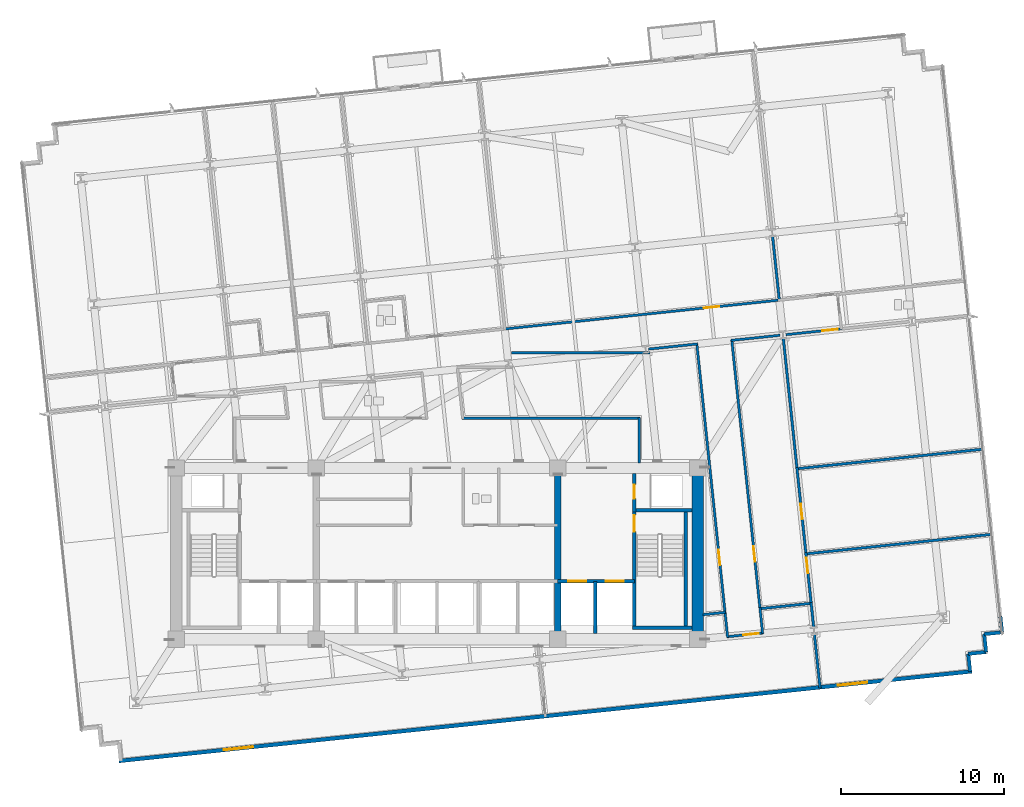
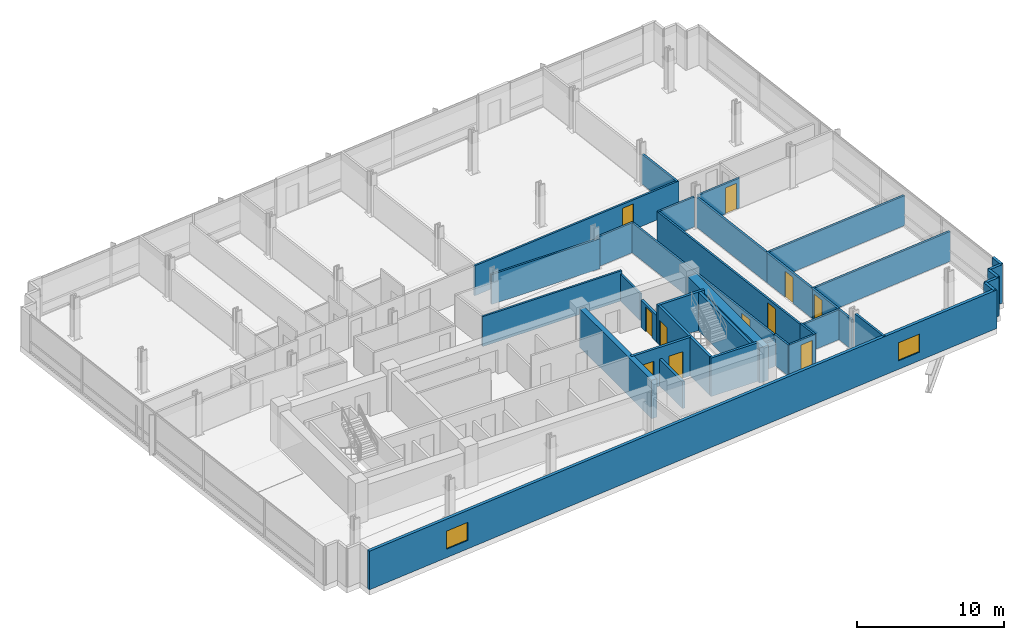
# One storey, part 12 of 18: 37 walls, 11 doors, 2 windows, 13 openings.
"""IFC4 building model written with IfcOpenShell, lengths in metres."""

from ifc_helpers import new_model, si_unit, direction, frame, frame_2d, origin, place, context, subcontext, project, spatial, rectangle, extrude, material, layer, layer_set, type_object, element, fill, save


model = new_model("IFC4")

# Units and contexts
model_context = context("Model", 3, precision=1e-05, world=origin(), true_north=direction((0.0, 1.0)))
body_context = subcontext(model_context, "Body", "Model", "MODEL_VIEW")
ifc_project = project(units=[si_unit("LENGTHUNIT", "METRE"), si_unit("AREAUNIT", "SQUARE_METRE"), si_unit("VOLUMEUNIT", "CUBIC_METRE"), si_unit("PLANEANGLEUNIT", "RADIAN"), si_unit("MASSUNIT", "GRAM", prefix="KILO")], contexts=[model_context])

# Site, building, storey
site_placement = place(None, origin())
site = spatial("IfcSite", under=ifc_project, at=site_placement, CompositionType="ELEMENT")
building_placement = place(site_placement, origin())
building = spatial("IfcBuilding", under=site, at=building_placement, Name="Solmavex Isthmus Hotel", CompositionType="ELEMENT")
storey_placement = place(building_placement, frame((0.0, 0.0, 80.10009765625)))
storey = spatial("IfcBuildingStorey", under=building, at=storey_placement, Name="L21", CompositionType="ELEMENT", Elevation=80.10009765625)

# Wall, openings, windows
ifc_material_1 = material(Name="Precast Concrete C40/50", Category="concrete")
ifc_layer_1 = layer(ifc_material_1, 0.25)
ifc_layer_set_1 = layer_set([ifc_layer_1], Name="Precast Concrete C40/50")
wall_type_1 = type_object("IfcWallType", Name="EW-TWR-250", PredefinedType="STANDARD", material=ifc_layer_set_1)
wall_1_placement = place(storey_placement, frame((-19.504150390625, -20.4716796875, 0.0), z_axis=(0.0, 0.0, 1.0), x_axis=(0.994521743132, 0.104529911687, 0.0)))
wall_1 = element("IfcWall", 1, at=wall_1_placement, inside=storey, type_object=wall_type_1, Name="Tower Rear South Facade Wall L21", PredefinedType="STANDARD", context=body_context, shape_type="SweptSolid", body=[
    extrude(rectangle(XDim=52.60009765625, YDim=0.239990234375, at=frame_2d((26.300048828125, 0.0))), origin(), (0.0, 0.0, 1.0), 3.18994140625),
])
opening_1_placement = place(wall_1_placement, frame((6.464111328125, 0.0, 0.699951171875)))
opening_1 = element("IfcOpeningElement", 2, at=opening_1_placement, cuts=wall_1, Name="Opening WN-02", PredefinedType="OPENING", context=body_context, shape_type="SweptSolid", body=[
    extrude(rectangle(XDim=1.800048828125, YDim=1.5, at=frame_2d((0.89990234375, 0.75))), frame((0.0, 0.1298828125, 0.0), z_axis=(0.0, -1.0, 0.0), x_axis=(1.0, 0.0, 0.0)), (0.0, 0.0, 1.0), 0.260009765625),
])
opening_2_placement = place(wall_1_placement, frame((44.3359375, 0.0, 0.699951171875)))
opening_2 = element("IfcOpeningElement", 3, at=opening_2_placement, cuts=wall_1, Name="Opening WN-02", PredefinedType="OPENING", context=body_context, shape_type="SweptSolid", body=[
    extrude(rectangle(XDim=1.800048828125, YDim=1.5, at=frame_2d((0.89990234375, 0.75))), frame((0.0, 0.1298828125, 0.0), z_axis=(0.0, -1.0, 0.0), x_axis=(1.0, 0.0, 0.0)), (0.0, 0.0, 1.0), 0.260009765625),
])
ifc_material_2 = material(Name="Clear low-E laminated glass", Category="glass")
window_type = type_object("IfcWindowType", Name="WIN-TWR-1800", PartitioningType="SINGLE_PANEL", PredefinedType="WINDOW", material=ifc_material_2)
window_1_placement = place(opening_1_placement, origin())
window_1 = element("IfcWindow", 4, at=window_1_placement, inside=storey, type_object=window_type, Name="South Facade Vision Window L21-S1", OverallHeight=1.5, OverallWidth=1.800048828125, PartitioningType="SINGLE_PANEL", PredefinedType="WINDOW", context=body_context, shape_type="SweptSolid", body=[
    extrude(rectangle(XDim=1.800048828125, YDim=1.5, at=frame_2d((0.89990234375, 0.75))), frame((0.0, 0.030029296875, 0.0), z_axis=(0.0, -1.0, 0.0), x_axis=(1.0, 0.0, 0.0)), (0.0, 0.0, 1.0), 0.06005859375),
])
fill(opening_1, window_1)
window_2_placement = place(opening_2_placement, origin())
window_2 = element("IfcWindow", 5, at=window_2_placement, inside=storey, type_object=window_type, Name="South Facade Vision Window L21-S2", OverallHeight=1.5, OverallWidth=1.800048828125, PartitioningType="SINGLE_PANEL", PredefinedType="WINDOW", context=body_context, shape_type="SweptSolid", body=[
    extrude(rectangle(XDim=1.800048828125, YDim=1.5, at=frame_2d((0.89990234375, 0.75))), frame((0.0, 0.030029296875, 0.0), z_axis=(0.0, -1.0, 0.0), x_axis=(1.0, 0.0, 0.0)), (0.0, 0.0, 1.0), 0.06005859375),
])
fill(opening_2, window_2)

# Walls
wall_2_placement = place(storey_placement, frame((34.553955078125, -11.59228515625, 0.0), z_axis=(0.0, 0.0, 1.0), x_axis=(0.104556418955, -0.99451895671, 0.0)))
element("IfcWall", 6, at=wall_2_placement, inside=storey, type_object=wall_type_1, Name="Serrated Corner Facade Panel L21-21", PredefinedType="STANDARD", context=body_context, shape_type="SweptSolid", body=[
    extrude(rectangle(XDim=0.989990234375, YDim=0.219970703125, at=frame_2d((0.4951171875, 0.0))), origin(), (0.0, 0.0, 1.0), 3.18994140625),
])
for number, where, z_axis, x_axis, name in (
    (7, (34.657470703125, -12.576904296875, 0.0), (0.0, 0.0, 1.0), (-0.994521251134, -0.104534592565, 0.0), "Serrated Corner Facade Panel L21-22"),
    (8, (33.5634765625, -12.69189453125, 0.0), (0.0, 0.0, 1.0), (0.104534592565, -0.994521251134, 0.0), "Serrated Corner Facade Panel L21-23"),
    (9, (33.678466796875, -13.785888671875, 0.0), (0.0, 0.0, 1.0), (-0.994521251134, -0.104534592565, 0.0), "Serrated Corner Facade Panel L21-24"),
    (10, (32.58447265625, -13.90087890625, 0.0), (0.0, 0.0, 1.0), (0.104534592565, -0.994521251134, 0.0), "Serrated Corner Facade Panel L21-25"),
):
    element("IfcWall", number, at=place(storey_placement, frame(where, z_axis=z_axis, x_axis=x_axis)), inside=storey, type_object=wall_type_1, Name=name, PredefinedType="STANDARD", context=body_context, shape_type="SweptSolid", body=[
        extrude(rectangle(XDim=1.10009765625, YDim=0.219970703125, at=frame_2d((0.550048828125, 0.0))), origin(), (0.0, 0.0, 1.0), 3.18994140625),
    ])
ifc_material_3 = material(Name="Gypsum plasterboard lining", Category="gypsum")
ifc_layer_2 = layer(ifc_material_3, 0.159912109375)
ifc_layer_set_2 = layer_set([ifc_layer_2], Name="Gypsum plasterboard lining")
wall_type_2 = type_object("IfcWallType", Name="IW-COMP-160", PredefinedType="PARTITIONING", material=ifc_layer_set_2)
wall_3_placement = place(storey_placement, frame((20.579833984375, 11.74658203125, 0.0), z_axis=(0.0, 0.0, 1.0), x_axis=(0.104551732594, -0.994519449388, 0.0)))
element("IfcWall", 11, at=wall_3_placement, inside=storey, type_object=wall_type_2, Name="Interior Partition Wall W-L21-P057", PredefinedType="PARTITIONING", context=body_context, shape_type="SweptSolid", body=[
    extrude(rectangle(XDim=4.01171875, YDim=0.159912109375, at=frame_2d((2.005859375, 0.0))), origin(), (0.0, 0.0, 1.0), 2.4794921875),
])

# Wall, opening, door
wall_4_placement = place(storey_placement, frame((22.073486328125, -2.46484375, 0.0), z_axis=(0.0, 0.0, 1.0), x_axis=(0.104529854651, -0.994521749127, 0.0)))
wall_4 = element("IfcWall", 12, at=wall_4_placement, inside=storey, type_object=wall_type_2, Name="Interior Partition Wall W-L21-P063", PredefinedType="PARTITIONING", context=body_context, shape_type="SweptSolid", body=[
    extrude(rectangle(XDim=5.413818359375, YDim=0.159912109375, at=frame_2d((2.70703125, 0.0))), origin(), (0.0, 0.0, 1.0), 2.4794921875),
])
opening_3_placement = place(wall_4_placement, frame((2.23193359375, 0.0, 0.0)))
opening_3 = element("IfcOpeningElement", 13, at=opening_3_placement, cuts=wall_4, Name="Opening ID-C095", PredefinedType="OPENING", context=body_context, shape_type="SweptSolid", body=[
    extrude(rectangle(XDim=0.949951171875, YDim=2.14990234375, at=frame_2d((0.47509765625, 1.074951171875))), frame((0.0, 0.08984375, 0.0), z_axis=(0.0, -1.0, 0.0), x_axis=(1.0, 0.0, 0.0)), (0.0, 0.0, 1.0), 0.179931640625),
])
ifc_material_4 = material(Name="Hardwood timber", Category="wood")
door_type_1 = type_object("IfcDoorType", Name="IDR-FD60-0950", OperationType="NOTDEFINED", PredefinedType="DOOR", material=ifc_material_4)
door_1_placement = place(opening_3_placement, origin())
door_1 = element("IfcDoor", 14, at=door_1_placement, inside=storey, type_object=door_type_1, Name="Corporate Briefing Office Door L21-14", OperationType="SINGLE_SWING_RIGHT", OverallHeight=2.14990234375, OverallWidth=0.949951171875, PredefinedType="DOOR", context=body_context, shape_type="SweptSolid", body=[
    extrude(rectangle(XDim=0.949951171875, YDim=2.14990234375, at=frame_2d((0.47509765625, 1.074951171875))), frame((0.0, 0.02490234375, 0.0), z_axis=(0.0, -1.0, 0.0), x_axis=(1.0, 0.0, 0.0)), (0.0, 0.0, 1.0), 0.050048828125),
])
fill(opening_3, door_1)

# Wall
wall_5_placement = place(storey_placement, frame((22.989501953125, -10.796875, 0.0), z_axis=(0.0, 0.0, 1.0), x_axis=(-0.994523644075, -0.1045118241, 0.0)))
element("IfcWall", 15, at=wall_5_placement, inside=storey, type_object=wall_type_2, Name="Interior Partition Wall W-L21-P064", PredefinedType="PARTITIONING", context=body_context, shape_type="SweptSolid", body=[
    extrude(rectangle(XDim=3.233154296875, YDim=0.159912109375, at=frame_2d((1.61669921875, 0.0))), origin(), (0.0, 0.0, 1.0), 2.4794921875),
])

# Wall, opening, door
wall_6_placement = place(storey_placement, frame((22.622314453125, -7.68603515625, 0.0), z_axis=(0.0, 0.0, 1.0), x_axis=(0.104516517478, -0.994523150849, 0.0)))
wall_6 = element("IfcWall", 16, at=wall_6_placement, inside=storey, type_object=wall_type_2, Name="Interior Partition Wall W-L21-P065", PredefinedType="PARTITIONING", context=body_context, shape_type="SweptSolid", body=[
    extrude(rectangle(XDim=3.172119140625, YDim=0.159912109375, at=frame_2d((1.5859375, 0.0))), origin(), (0.0, 0.0, 1.0), 2.4794921875),
])
opening_4_placement = place(wall_6_placement, frame((0.331787109375, 0.0, 0.0)))
opening_4 = element("IfcOpeningElement", 17, at=opening_4_placement, cuts=wall_6, Name="Opening ID-C095", PredefinedType="OPENING", context=body_context, shape_type="SweptSolid", body=[
    extrude(rectangle(XDim=0.949951171875, YDim=2.14990234375, at=frame_2d((0.47509765625, 1.074951171875))), frame((0.0, 0.08984375, 0.0), z_axis=(0.0, -1.0, 0.0), x_axis=(1.0, 0.0, 0.0)), (0.0, 0.0, 1.0), 0.179931640625),
])
door_2_placement = place(opening_4_placement, frame((0.949951171875, 0.0, 0.0), z_axis=(0.0, 0.0, 1.0), x_axis=(-1.0, 0.0, 0.0)))
door_2 = element("IfcDoor", 18, at=door_2_placement, inside=storey, type_object=door_type_1, Name="Corporate Briefing Office Door L21-18", OperationType="SINGLE_SWING_RIGHT", OverallHeight=2.14990234375, OverallWidth=0.949951171875, PredefinedType="DOOR", context=body_context, shape_type="SweptSolid", body=[
    extrude(rectangle(XDim=0.949951171875, YDim=2.14990234375, at=frame_2d((0.47509765625, 1.074951171875))), frame((0.0, 0.02490234375, 0.0), z_axis=(0.0, -1.0, 0.0), x_axis=(1.0, 0.0, 0.0)), (0.0, 0.0, 1.0), 0.050048828125),
])
fill(opening_4, door_2)

# Walls
wall_7_placement = place(storey_placement, frame((21.238037109375, 5.483154296875, 0.0), z_axis=(0.0, 0.0, 1.0), x_axis=(0.104532075157, -0.994521515737, 0.0)))
element("IfcWall", 19, at=wall_7_placement, inside=storey, type_object=wall_type_2, Name="Interior Partition Wall W-L21-P066", PredefinedType="PARTITIONING", context=body_context, shape_type="SweptSolid", body=[
    extrude(rectangle(XDim=8.15576171875, YDim=0.159912109375, at=frame_2d((4.077880859375, 0.0))), origin(), (0.0, 0.0, 1.0), 2.4794921875),
])
for number, where, z_axis, x_axis, name in (
    (20, (34.055908203125, -6.56689453125, 0.0), (0.0, 0.0, 1.0), (-0.994523425118, -0.104513907644, 0.0), "Interior Partition Wall W-L21-P067"),
    (21, (22.042236328125, -2.550537109375, 0.0), (0.0, 0.0, 1.0), (0.994523425118, 0.104513907644, 0.0), "Interior Partition Wall W-L21-P068"),
):
    element("IfcWall", number, at=place(storey_placement, frame(where, z_axis=z_axis, x_axis=x_axis)), inside=storey, type_object=wall_type_2, Name=name, PredefinedType="PARTITIONING", context=body_context, shape_type="SweptSolid", body=[
        extrude(rectangle(XDim=11.528076171875, YDim=0.159912109375, at=frame_2d((5.76416015625, 0.0))), origin(), (0.0, 0.0, 1.0), 2.4794921875),
    ])
wall_8_placement = place(storey_placement, frame((16.310302734375, -11.498779296875, 0.0), z_axis=(0.0, 0.0, 1.0), x_axis=(0.994515936718, 0.104585140502, 0.0)))
element("IfcWall", 22, at=wall_8_placement, inside=storey, type_object=wall_type_2, Name="Interior Partition Wall W-L21-P069", PredefinedType="PARTITIONING", context=body_context, shape_type="SweptSolid", body=[
    extrude(rectangle(XDim=1.403076171875, YDim=0.159912109375, at=frame_2d((0.70166015625, 0.0))), origin(), (0.0, 0.0, 1.0), 2.224853515625),
])
wall_9_placement = place(storey_placement, frame((22.945556640625, -10.76123046875, 0.0), z_axis=(0.0, 0.0, 1.0), x_axis=(0.104449093675, -0.994530234247, 0.0)))
element("IfcWall", 23, at=wall_9_placement, inside=storey, type_object=wall_type_2, Name="Interior Partition Wall W-L21-P070", PredefinedType="PARTITIONING", context=body_context, shape_type="SweptSolid", body=[
    extrude(rectangle(XDim=1.563720703125, YDim=0.159912109375, at=frame_2d((0.78173828125, 0.0))), origin(), (0.0, 0.0, 1.0), 2.4794921875),
])
wall_10_placement = place(storey_placement, frame((23.145751953125, -12.666748046875, 0.0), z_axis=(0.0, 0.0, 1.0), x_axis=(0.104547967866, -0.994519845159, 0.0)))
element("IfcWall", 24, at=wall_10_placement, inside=storey, type_object=wall_type_2, Name="Interior Partition Wall W-L21-P071", PredefinedType="PARTITIONING", context=body_context, shape_type="SweptSolid", body=[
    extrude(rectangle(XDim=3.343994140625, YDim=0.159912109375, at=frame_2d((1.671875, 0.0))), origin(), (0.0, 0.0, 1.0), 3.18994140625),
])

# Wall, opening, door
ifc_layer_3 = layer(ifc_material_3, 0.14990234375)
ifc_layer_set_3 = layer_set([ifc_layer_3], Name="Gypsum plasterboard lining")
wall_type_3 = type_object("IfcWallType", Name="IW-CORR-150", PredefinedType="PARTITIONING", material=ifc_layer_set_3)
wall_11_placement = place(storey_placement, frame((4.07421875, 6.01806640625, 0.0), z_axis=(0.0, 0.0, 1.0), x_axis=(0.994521404201, 0.104533136308, 0.0)))
wall_11 = element("IfcWall", 25, at=wall_11_placement, inside=storey, type_object=wall_type_3, Name="Interior Partition Wall W-L21-P008", PredefinedType="PARTITIONING", context=body_context, shape_type="SweptSolid", body=[
    extrude(rectangle(XDim=17.09619140625, YDim=0.14990234375, at=frame_2d((8.548095703125, 0.0))), origin(), (0.0, 0.0, 1.0), 2.4794921875),
])
opening_5_placement = place(wall_11_placement, frame((12.361083984375, 0.0, 0.0)))
opening_5 = element("IfcOpeningElement", 26, at=opening_5_placement, cuts=wall_11, Name="Opening ID-C095", PredefinedType="OPENING", context=body_context, shape_type="SweptSolid", body=[
    extrude(rectangle(XDim=0.949951171875, YDim=2.14990234375, at=frame_2d((0.47509765625, 1.074951171875))), frame((0.0, 0.0849609375, 0.0), z_axis=(0.0, -1.0, 0.0), x_axis=(1.0, 0.0, 0.0)), (0.0, 0.0, 1.0), 0.169921875),
])
door_3_placement = place(opening_5_placement, origin())
door_3 = element("IfcDoor", 27, at=door_3_placement, inside=storey, type_object=door_type_1, Name="Corporate Briefing Office Door L21-08", OperationType="SINGLE_SWING_RIGHT", OverallHeight=2.14990234375, OverallWidth=0.949951171875, PredefinedType="DOOR", context=body_context, shape_type="SweptSolid", body=[
    extrude(rectangle(XDim=0.949951171875, YDim=2.14990234375, at=frame_2d((0.47509765625, 1.074951171875))), frame((0.0, 0.02490234375, 0.0), z_axis=(0.0, -1.0, 0.0), x_axis=(1.0, 0.0, 0.0)), (0.0, 0.0, 1.0), 0.050048828125),
])
fill(opening_5, door_3)

# Wall
wall_12_placement = place(storey_placement, frame((21.04443359375, 5.639892578125, 0.0), z_axis=(0.0, 0.0, 1.0), x_axis=(-0.994527160177, -0.104478359817, 0.0)))
element("IfcWall", 28, at=wall_12_placement, inside=storey, type_object=wall_type_3, Name="Interior Partition Wall W-L21-P017", PredefinedType="PARTITIONING", context=body_context, shape_type="SweptSolid", body=[
    extrude(rectangle(XDim=3.016845703125, YDim=0.14990234375, at=frame_2d((1.50830078125, 0.0))), origin(), (0.0, 0.0, 1.0), 2.4794921875),
])

# Wall, opening, door
wall_13_placement = place(storey_placement, frame((18.079833984375, 5.36865234375, 0.0), z_axis=(0.0, 0.0, 1.0), x_axis=(0.104526230789, -0.994522130009, 0.0)))
wall_13 = element("IfcWall", 29, at=wall_13_placement, inside=storey, type_object=wall_type_3, Name="Interior Partition Wall W-L21-P018", PredefinedType="PARTITIONING", context=body_context, shape_type="SweptSolid", body=[
    extrude(rectangle(XDim=16.672119140625, YDim=0.14990234375, at=frame_2d((8.3359375, 0.0))), origin(), (0.0, 0.0, 1.0), 2.4794921875),
])
opening_6_placement = place(wall_13_placement, frame((12.739013671875, 0.0, 0.0)))
opening_6 = element("IfcOpeningElement", 30, at=opening_6_placement, cuts=wall_13, Name="Opening ID-C095", PredefinedType="OPENING", context=body_context, shape_type="SweptSolid", body=[
    extrude(rectangle(XDim=0.949951171875, YDim=2.14990234375, at=frame_2d((0.47509765625, 1.074951171875))), frame((0.0, 0.0849609375, 0.0), z_axis=(0.0, -1.0, 0.0), x_axis=(1.0, 0.0, 0.0)), (0.0, 0.0, 1.0), 0.169921875),
])
door_4_placement = place(opening_6_placement, frame((0.949951171875, 0.0, 0.0), z_axis=(0.0, 0.0, 1.0), x_axis=(-1.0, 0.0, 0.0)))
door_4 = element("IfcDoor", 31, at=door_4_placement, inside=storey, type_object=door_type_1, Name="Catering Servery Kitchen Door L21-13", OperationType="SINGLE_SWING_LEFT", OverallHeight=2.14990234375, OverallWidth=0.949951171875, PredefinedType="DOOR", context=body_context, shape_type="SweptSolid", body=[
    extrude(rectangle(XDim=0.949951171875, YDim=2.14990234375, at=frame_2d((0.47509765625, 1.074951171875))), frame((0.0, 0.02490234375, 0.0), z_axis=(0.0, -1.0, 0.0), x_axis=(1.0, 0.0, 0.0)), (0.0, 0.0, 1.0), 0.050048828125),
])
fill(opening_6, door_4)

# Wall
wall_14_placement = place(storey_placement, frame((19.805419921875, -11.049072265625, 0.0), z_axis=(0.0, 0.0, 1.0), x_axis=(0.104465384456, -0.994528523196, 0.0)))
element("IfcWall", 32, at=wall_14_placement, inside=storey, type_object=wall_type_3, Name="Interior Partition Wall W-L21-P019", PredefinedType="PARTITIONING", context=body_context, shape_type="SweptSolid", body=[
    extrude(rectangle(XDim=1.621826171875, YDim=0.14990234375, at=frame_2d((0.81103515625, 0.0))), origin(), (0.0, 0.0, 1.0), 2.55322265625),
])

# Wall, opening, door
wall_15_placement = place(storey_placement, frame((20.010498046875, -12.6181640625, 0.0), z_axis=(0.0, 0.0, 1.0), x_axis=(-0.994522758079, -0.104520254794, 0.0)))
wall_15 = element("IfcWall", 33, at=wall_15_placement, inside=storey, type_object=wall_type_3, Name="Interior Partition Wall W-L21-P020", PredefinedType="PARTITIONING", context=body_context, shape_type="SweptSolid", body=[
    extrude(rectangle(XDim=2.239990234375, YDim=0.14990234375, at=frame_2d((1.1201171875, 0.0))), origin(), (0.0, 0.0, 1.0), 2.55322265625),
])
opening_7_placement = place(wall_15_placement, frame((0.281982421875, 0.0, 0.0)))
opening_7 = element("IfcOpeningElement", 34, at=opening_7_placement, cuts=wall_15, Name="Opening ID-C095", PredefinedType="OPENING", context=body_context, shape_type="SweptSolid", body=[
    extrude(rectangle(XDim=0.949951171875, YDim=2.14990234375, at=frame_2d((0.47509765625, 1.074951171875))), frame((0.0, 0.0849609375, 0.0), z_axis=(0.0, -1.0, 0.0), x_axis=(1.0, 0.0, 0.0)), (0.0, 0.0, 1.0), 0.169921875),
])
door_5_placement = place(opening_7_placement, origin())
door_5 = element("IfcDoor", 35, at=door_5_placement, inside=storey, type_object=door_type_1, Name="Concierge Reception Door L21-15", OperationType="SINGLE_SWING_LEFT", OverallHeight=2.14990234375, OverallWidth=0.949951171875, PredefinedType="DOOR", context=body_context, shape_type="SweptSolid", body=[
    extrude(rectangle(XDim=0.949951171875, YDim=2.14990234375, at=frame_2d((0.47509765625, 1.074951171875))), frame((0.0, 0.02490234375, 0.0), z_axis=(0.0, -1.0, 0.0), x_axis=(1.0, 0.0, 0.0)), (0.0, 0.0, 1.0), 0.050048828125),
])
fill(opening_7, door_5)

# Wall
wall_16_placement = place(storey_placement, frame((17.82666015625, -12.887939453125, 0.0), z_axis=(0.0, 0.0, 1.0), x_axis=(-0.104449748014, 0.994530165525, 0.0)))
element("IfcWall", 36, at=wall_16_placement, inside=storey, type_object=wall_type_3, Name="Interior Partition Wall W-L21-P021", PredefinedType="PARTITIONING", context=body_context, shape_type="SweptSolid", body=[
    extrude(rectangle(XDim=1.6220703125, YDim=0.14990234375, at=frame_2d((0.81103515625, 0.0))), origin(), (0.0, 0.0, 1.0), 2.55322265625),
])

# Wall, opening, door
wall_17_placement = place(storey_placement, frame((17.67431640625, -11.43798828125, 0.0), z_axis=(0.0, 0.0, 1.0), x_axis=(-0.104526230789, 0.994522130009, 0.0)))
wall_17 = element("IfcWall", 37, at=wall_17_placement, inside=storey, type_object=wall_type_3, Name="Interior Partition Wall W-L21-P022", PredefinedType="PARTITIONING", context=body_context, shape_type="SweptSolid", body=[
    extrude(rectangle(XDim=16.672119140625, YDim=0.14990234375, at=frame_2d((8.3359375, 0.0))), origin(), (0.0, 0.0, 1.0), 2.4794921875),
])
opening_8_placement = place(wall_17_placement, frame((2.98291015625, 0.0, 0.0)))
opening_8 = element("IfcOpeningElement", 38, at=opening_8_placement, cuts=wall_17, Name="Opening ID-C095", PredefinedType="OPENING", context=body_context, shape_type="SweptSolid", body=[
    extrude(rectangle(XDim=0.949951171875, YDim=2.14990234375, at=frame_2d((0.47509765625, 1.074951171875))), frame((0.0, 0.0849609375, 0.0), z_axis=(0.0, -1.0, 0.0), x_axis=(1.0, 0.0, 0.0)), (0.0, 0.0, 1.0), 0.169921875),
])
door_6_placement = place(opening_8_placement, frame((0.949951171875, 0.0, 0.0), z_axis=(0.0, 0.0, 1.0), x_axis=(-1.0, 0.0, 0.0)))
door_6 = element("IfcDoor", 39, at=door_6_placement, inside=storey, type_object=door_type_1, Name="Catering Servery Kitchen Door L21-16", OperationType="SINGLE_SWING_RIGHT", OverallHeight=2.14990234375, OverallWidth=0.949951171875, PredefinedType="DOOR", context=body_context, shape_type="SweptSolid", body=[
    extrude(rectangle(XDim=0.949951171875, YDim=2.14990234375, at=frame_2d((0.47509765625, 1.074951171875))), frame((0.0, 0.02490234375, 0.0), z_axis=(0.0, -1.0, 0.0), x_axis=(1.0, 0.0, 0.0)), (0.0, 0.0, 1.0), 0.050048828125),
])
fill(opening_8, door_6)

# Walls
wall_18_placement = place(storey_placement, frame((15.9755859375, 5.107177734375, 0.0), z_axis=(0.0, 0.0, 1.0), x_axis=(-0.994518748051, -0.104558403652, 0.0)))
element("IfcWall", 40, at=wall_18_placement, inside=storey, type_object=wall_type_3, Name="Interior Partition Wall W-L21-P023", PredefinedType="PARTITIONING", context=body_context, shape_type="SweptSolid", body=[
    extrude(rectangle(XDim=3.016845703125, YDim=0.14990234375, at=frame_2d((1.50830078125, 0.0))), origin(), (0.0, 0.0, 1.0), 2.4794921875),
])
wall_19_placement = place(storey_placement, frame((13.05517578125, 4.558349609375, 0.0), z_axis=(0.0, 0.0, 1.0), x_axis=(-1.0, 0.0, 0.0)))
element("IfcWall", 41, at=wall_19_placement, inside=storey, type_object=wall_type_3, Name="Interior Partition Wall W-L21-P024", PredefinedType="PARTITIONING", context=body_context, shape_type="SweptSolid", body=[
    extrude(rectangle(XDim=8.49951171875, YDim=0.14990234375, at=frame_2d((4.249755859375, 0.0))), origin(), (0.0, 0.0, 1.0), 2.4794921875),
])
wall_20_placement = place(storey_placement, frame((1.541015625, 0.550048828125, 0.0), z_axis=(0.0, 0.0, 1.0), x_axis=(1.0, 0.0, 0.0)))
element("IfcWall", 42, at=wall_20_placement, inside=storey, type_object=wall_type_3, Name="Interior Partition Wall W-L21-P027", PredefinedType="PARTITIONING", context=body_context, shape_type="SweptSolid", body=[
    extrude(rectangle(XDim=10.89892578125, YDim=0.14990234375, at=frame_2d((5.449462890625, 0.0))), origin(), (0.0, 0.0, 1.0), 2.4794921875),
])
wall_21_placement = place(storey_placement, frame((12.39990234375, 0.590087890625, 0.0), z_axis=(0.0, 0.0, 1.0), x_axis=(0.0, -1.0, 0.0)))
element("IfcWall", 43, at=wall_21_placement, inside=storey, type_object=wall_type_3, Name="Interior Partition Wall W-L21-P028", PredefinedType="PARTITIONING", context=body_context, shape_type="SweptSolid", body=[
    extrude(rectangle(XDim=2.780029296875, YDim=0.14990234375, at=frame_2d((1.39013671875, 0.0))), origin(), (0.0, 0.0, 1.0), 2.224853515625),
])

# Wall, opening, door
wall_22_placement = place(storey_placement, frame((24.83984375, 6.038818359375, 0.0), z_axis=(0.0, 0.0, 1.0), x_axis=(-0.994522047476, -0.104527016046, 0.0)))
wall_22 = element("IfcWall", 44, at=wall_22_placement, inside=storey, type_object=wall_type_3, Name="Interior Partition Wall W-L21-P034", PredefinedType="PARTITIONING", context=body_context, shape_type="SweptSolid", body=[
    extrude(rectangle(XDim=3.4638671875, YDim=0.14990234375, at=frame_2d((1.73193359375, 0.0))), origin(), (0.0, 0.0, 1.0), 2.4794921875),
])
opening_9_placement = place(wall_22_placement, frame((0.26220703125, 0.0, 0.0)))
opening_9 = element("IfcOpeningElement", 45, at=opening_9_placement, cuts=wall_22, Name="Opening ID-C095", PredefinedType="OPENING", context=body_context, shape_type="SweptSolid", body=[
    extrude(rectangle(XDim=0.949951171875, YDim=2.14990234375, at=frame_2d((0.47509765625, 1.074951171875))), frame((0.0, 0.0849609375, 0.0), z_axis=(0.0, -1.0, 0.0), x_axis=(1.0, 0.0, 0.0)), (0.0, 0.0, 1.0), 0.169921875),
])
door_7_placement = place(opening_9_placement, frame((0.949951171875, 0.0, 0.0), z_axis=(0.0, 0.0, 1.0), x_axis=(-1.0, 0.0, 0.0)))
door_7 = element("IfcDoor", 46, at=door_7_placement, inside=storey, type_object=door_type_1, Name="Catering Servery Kitchen Door L21-19", OperationType="SINGLE_SWING_LEFT", OverallHeight=2.14990234375, OverallWidth=0.949951171875, PredefinedType="DOOR", context=body_context, shape_type="SweptSolid", body=[
    extrude(rectangle(XDim=0.949951171875, YDim=2.14990234375, at=frame_2d((0.47509765625, 1.074951171875))), frame((0.0, 0.02490234375, 0.0), z_axis=(0.0, -1.0, 0.0), x_axis=(1.0, 0.0, 0.0)), (0.0, 0.0, 1.0), 0.050048828125),
])
fill(opening_9, door_7)

ifc_material_5 = material(Name="Concrete C40/50", Category="concrete")
ifc_layer_4 = layer(ifc_material_5, 0.199951171875)
ifc_layer_set_4 = layer_set([ifc_layer_4], Name="Concrete C40/50")
wall_type_4 = type_object("IfcWallType", Name="IW-SHAFT-200", PredefinedType="PARTITIONING", material=ifc_layer_set_4)
wall_23_placement = place(storey_placement, frame((12.10009765625, -5.199951171875, 0.0), z_axis=(0.0, 0.0, 1.0), x_axis=(0.0, 1.0, 0.0)))
wall_23 = element("IfcWall", 47, at=wall_23_placement, inside=storey, type_object=wall_type_4, Name="Interior Partition Wall W-L21-RSE-W", PredefinedType="PARTITIONING", context=body_context, shape_type="SweptSolid", body=[
    extrude(rectangle(XDim=2.349853515625, YDim=0.199951171875, at=frame_2d((1.1748046875, 0.0))), origin(), (0.0, 0.0, 1.0), 2.224853515625),
])
opening_10_placement = place(wall_23_placement, frame((0.824951171875, 0.0, 0.0)))
opening_10 = element("IfcOpeningElement", 48, at=opening_10_placement, cuts=wall_23, Name="Opening ID-R085", PredefinedType="OPENING", context=body_context, shape_type="SweptSolid", body=[
    extrude(rectangle(XDim=0.85009765625, YDim=2.050048828125, at=frame_2d((0.425048828125, 1.02490234375))), frame((0.0, 0.10986328125, 0.0), z_axis=(0.0, -1.0, 0.0), x_axis=(1.0, 0.0, 0.0)), (0.0, 0.0, 1.0), 0.219970703125),
])
ifc_material_6 = material(Name="Steel ASTM A500 Grade C", Category="steel")
door_type_2 = type_object("IfcDoorType", Name="IDR-FD60-0850", OperationType="NOTDEFINED", PredefinedType="DOOR", material=ifc_material_6)
door_8_placement = place(opening_10_placement, frame((0.85009765625, 0.0, 0.0), z_axis=(0.0, 0.0, 1.0), x_axis=(-1.0, 0.0, 0.0)))
door_8 = element("IfcDoor", 49, at=door_8_placement, inside=storey, type_object=door_type_2, Name="Mechanical Riser Door L21", OperationType="SINGLE_SWING_LEFT", OverallHeight=2.050048828125, OverallWidth=0.85009765625, PredefinedType="DOOR", context=body_context, shape_type="SweptSolid", body=[
    extrude(rectangle(XDim=0.85009765625, YDim=2.050048828125, at=frame_2d((0.425048828125, 1.02490234375))), frame((0.0, 0.02490234375, 0.0), z_axis=(0.0, -1.0, 0.0), x_axis=(1.0, 0.0, 0.0)), (0.0, 0.0, 1.0), 0.050048828125),
])
fill(opening_10, door_8)

# Wall, openings, doors
wall_24_placement = place(storey_placement, frame((7.39990234375, -9.449951171875, 0.0), z_axis=(0.0, 0.0, 1.0), x_axis=(1.0, 0.0, 0.0)))
wall_24 = element("IfcWall", 50, at=wall_24_placement, inside=storey, type_object=wall_type_4, Name="Interior Partition Wall W-L21-FFLE-S", PredefinedType="PARTITIONING", context=body_context, shape_type="SweptSolid", body=[
    extrude(rectangle(XDim=4.7001953125, YDim=0.199951171875, at=frame_2d((2.35009765625, 0.0))), origin(), (0.0, 0.0, 1.0), 3.18994140625),
])
opening_11_placement = place(wall_24_placement, frame((2.949951171875, 0.0, 0.0)))
opening_11 = element("IfcOpeningElement", 51, at=opening_11_placement, cuts=wall_24, Name="Opening LD-FF", PredefinedType="OPENING", context=body_context, shape_type="SweptSolid", body=[
    extrude(rectangle(XDim=1.10009765625, YDim=2.199951171875, at=frame_2d((0.550048828125, 1.10009765625))), frame((0.0, 0.10986328125, 0.0), z_axis=(0.0, -1.0, 0.0), x_axis=(1.0, 0.0, 0.0)), (0.0, 0.0, 1.0), 0.219970703125),
])
opening_12_placement = place(wall_24_placement, frame((0.64990234375, 0.0, 0.0)))
opening_12 = element("IfcOpeningElement", 52, at=opening_12_placement, cuts=wall_24, Name="Opening LD-SV", PredefinedType="OPENING", context=body_context, shape_type="SweptSolid", body=[
    extrude(rectangle(XDim=1.10009765625, YDim=2.199951171875, at=frame_2d((0.550048828125, 1.10009765625))), frame((0.0, 0.10986328125, 0.0), z_axis=(0.0, -1.0, 0.0), x_axis=(1.0, 0.0, 0.0)), (0.0, 0.0, 1.0), 0.219970703125),
])
ifc_material_7 = material(Name="Stainless steel 316", Category="steel")
door_type_3 = type_object("IfcDoorType", Name="LDR-FF-1100", OperationType="NOTDEFINED", PredefinedType="DOOR", material=ifc_material_7)
door_9_placement = place(opening_11_placement, origin())
door_9 = element("IfcDoor", 53, at=door_9_placement, inside=storey, type_object=door_type_3, Name="Lift Landing Door FFL-2 L21", OperationType="SLIDING_TO_LEFT", OverallHeight=2.199951171875, OverallWidth=1.10009765625, PredefinedType="DOOR", context=body_context, shape_type="SweptSolid", body=[
    extrude(rectangle(XDim=1.10009765625, YDim=2.199951171875, at=frame_2d((0.550048828125, 1.10009765625))), frame((0.0, 0.02490234375, 0.0), z_axis=(0.0, -1.0, 0.0), x_axis=(1.0, 0.0, 0.0)), (0.0, 0.0, 1.0), 0.050048828125),
])
fill(opening_11, door_9)
door_type_4 = type_object("IfcDoorType", Name="LDR-SV-1100", OperationType="NOTDEFINED", PredefinedType="DOOR", material=ifc_material_7)
door_10_placement = place(opening_12_placement, origin())
door_10 = element("IfcDoor", 54, at=door_10_placement, inside=storey, type_object=door_type_4, Name="Lift Landing Door SVL-2 L21", OperationType="SLIDING_TO_RIGHT", OverallHeight=2.199951171875, OverallWidth=1.10009765625, PredefinedType="DOOR", context=body_context, shape_type="SweptSolid", body=[
    extrude(rectangle(XDim=1.10009765625, YDim=2.199951171875, at=frame_2d((0.550048828125, 1.10009765625))), frame((0.0, 0.02490234375, 0.0), z_axis=(0.0, -1.0, 0.0), x_axis=(1.0, 0.0, 0.0)), (0.0, 0.0, 1.0), 0.050048828125),
])
fill(opening_12, door_10)

# Walls
wall_25_placement = place(storey_placement, frame((9.699951171875, -12.64990234375, 0.0), z_axis=(0.0, 0.0, 1.0), x_axis=(0.0, 1.0, 0.0)))
element("IfcWall", 55, at=wall_25_placement, inside=storey, type_object=wall_type_4, Name="Interior Partition Wall W-L21-FFLE-M", PredefinedType="PARTITIONING", context=body_context, shape_type="SweptSolid", body=[
    extrude(rectangle(XDim=3.199951171875, YDim=0.199951171875, at=frame_2d((1.60009765625, 0.0))), origin(), (0.0, 0.0, 1.0), 2.224853515625),
])
ifc_material_8 = material(Name="Concrete C60/75", Category="concrete")
ifc_layer_5 = layer(ifc_material_8, 0.39990234375)
ifc_layer_set_5 = layer_set([ifc_layer_5], Name="Concrete C60/75")
wall_type_5 = type_object("IfcWallType", Name="WALL-CW-400M", PredefinedType="SHEAR", material=ifc_layer_set_5)
wall_26_placement = place(storey_placement, frame((7.39990234375, -12.64990234375, 0.0), z_axis=(0.0, 0.0, 1.0), x_axis=(0.0, 1.0, 0.0)))
element("IfcWall", 56, at=wall_26_placement, inside=storey, type_object=wall_type_5, Name="Core Cross Shear Wall C2 L21", PredefinedType="SHEAR", context=body_context, shape_type="SweptSolid", body=[
    extrude(rectangle(XDim=9.7998046875, YDim=0.39990234375, at=frame_2d((4.89990234375, 0.0))), origin(), (0.0, 0.0, 1.0), 3.18994140625),
])
ifc_layer_6 = layer(ifc_material_8, 0.699951171875)
ifc_layer_set_6 = layer_set([ifc_layer_6], Name="Concrete C60/75")
wall_type_6 = type_object("IfcWallType", Name="WALL-CW-700", PredefinedType="SHEAR", material=ifc_layer_set_6)
wall_27_placement = place(storey_placement, frame((16.0, -12.64990234375, 0.0), z_axis=(0.0, 0.0, 1.0), x_axis=(0.0, 1.0, 0.0)))
element("IfcWall", 57, at=wall_27_placement, inside=storey, type_object=wall_type_6, Name="Core Shear Wall East L21", PredefinedType="SHEAR", context=body_context, shape_type="SweptSolid", body=[
    extrude(rectangle(XDim=9.7998046875, YDim=0.699951171875, at=frame_2d((4.89990234375, 0.0))), origin(), (0.0, 0.0, 1.0), 2.909912109375),
])
ifc_layer_7 = layer(ifc_material_5, 0.199951171875)
ifc_layer_set_7 = layer_set([ifc_layer_7], Name="Concrete C40/50")
wall_type_7 = type_object("IfcWallType", Name="WALL-SW-200", PredefinedType="SOLIDWALL", material=ifc_layer_set_7)
for number, where, z_axis, x_axis, name in (
    (58, (12.0, -12.300048828125, 0.0), (0.0, 0.0, 1.0), (1.0, 0.0, 0.0), "Stairwell Structural Wall SW-L21-ST2-S"),
    (59, (12.0, -5.10009765625, 0.0), (0.0, 0.0, 1.0), (1.0, 0.0, 0.0), "Stairwell Structural Wall SW-L21-ST2-N"),
):
    element("IfcWall", number, at=place(storey_placement, frame(where, z_axis=z_axis, x_axis=x_axis)), inside=storey, type_object=wall_type_7, Name=name, PredefinedType="SOLIDWALL", context=body_context, shape_type="SweptSolid", body=[
        extrude(rectangle(XDim=3.64990234375, YDim=0.199951171875, at=frame_2d((1.824951171875, 0.0))), origin(), (0.0, 0.0, 1.0), 3.18994140625),
    ])

# Wall, opening, door
wall_28_placement = place(storey_placement, frame((12.10009765625, -12.199951171875, 0.0), z_axis=(0.0, 0.0, 1.0), x_axis=(0.0, 1.0, 0.0)))
wall_28 = element("IfcWall", 60, at=wall_28_placement, inside=storey, type_object=wall_type_7, Name="Stairwell Structural Wall SW-L21-ST2-W", PredefinedType="SOLIDWALL", context=body_context, shape_type="SweptSolid", body=[
    extrude(rectangle(XDim=7.0, YDim=0.199951171875, at=frame_2d((3.5, 0.0))), origin(), (0.0, 0.0, 1.0), 3.18994140625),
])
opening_13_placement = place(wall_28_placement, frame((5.800048828125, 0.0, 0.0)))
opening_13 = element("IfcOpeningElement", 61, at=opening_13_placement, cuts=wall_28, Name="Opening ID-F100", PredefinedType="OPENING", context=body_context, shape_type="SweptSolid", body=[
    extrude(rectangle(XDim=1.0, YDim=2.10009765625, at=frame_2d((0.5, 1.050048828125))), frame((0.0, 0.10986328125, 0.0), z_axis=(0.0, -1.0, 0.0), x_axis=(1.0, 0.0, 0.0)), (0.0, 0.0, 1.0), 0.219970703125),
])
door_type_5 = type_object("IfcDoorType", Name="IDR-FD90-1000", OperationType="NOTDEFINED", PredefinedType="DOOR", material=ifc_material_6)
door_11_placement = place(opening_13_placement, origin())
door_11 = element("IfcDoor", 62, at=door_11_placement, inside=storey, type_object=door_type_5, Name="Stair ST-2 Fire Door L21", OperationType="SINGLE_SWING_RIGHT", OverallHeight=2.10009765625, OverallWidth=1.0, PredefinedType="DOOR", context=body_context, shape_type="SweptSolid", body=[
    extrude(rectangle(XDim=1.0, YDim=2.10009765625, at=frame_2d((0.5, 1.050048828125))), frame((0.0, 0.02490234375, 0.0), z_axis=(0.0, -1.0, 0.0), x_axis=(1.0, 0.0, 0.0)), (0.0, 0.0, 1.0), 0.050048828125),
])
fill(opening_13, door_11)

# Wall
wall_29_placement = place(storey_placement, frame((15.25, -12.199951171875, 0.0), z_axis=(0.0, 0.0, 1.0), x_axis=(0.0, 1.0, 0.0)))
element("IfcWall", 63, at=wall_29_placement, inside=storey, type_object=wall_type_7, Name="Stairwell Structural Wall SW-L21-ST2-E", PredefinedType="SOLIDWALL", context=body_context, shape_type="SweptSolid", body=[
    extrude(rectangle(XDim=7.0, YDim=0.199951171875, at=frame_2d((3.5, 0.0))), origin(), (0.0, 0.0, 1.0), 3.18994140625),
])

save(model, "model.ifc")
